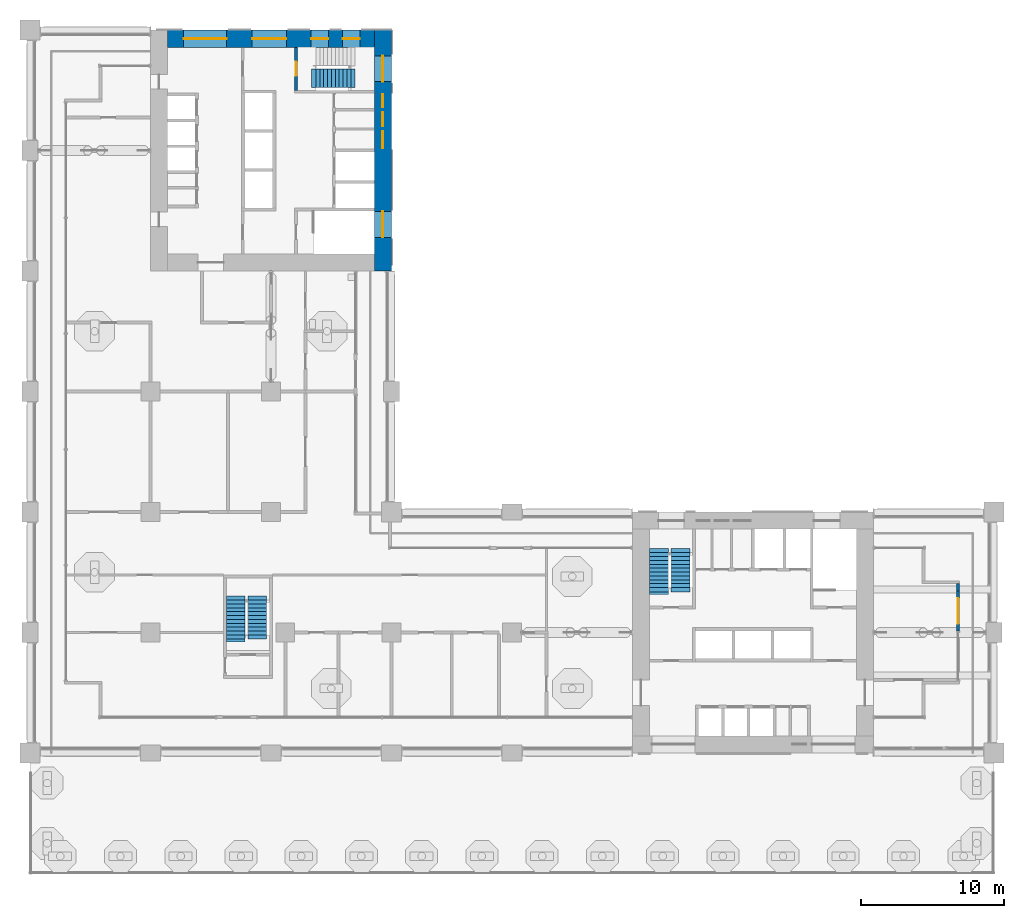
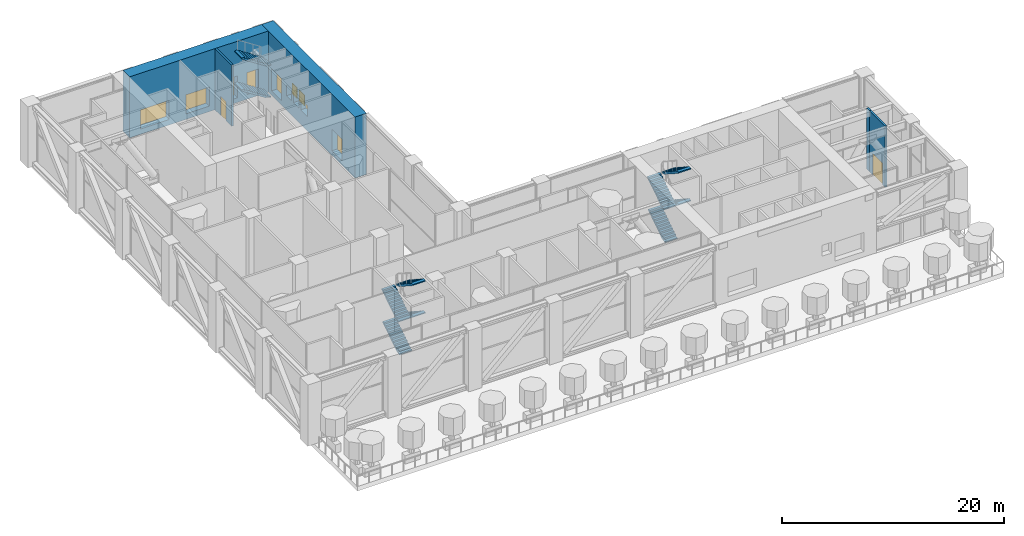
# One storey, part 14 of 28: 10 stair flights, 9 windows, 5 walls, 2 doors, 11 openings, 3 elements without a shape of their own.
"""IFC4 building model written with IfcOpenShell, lengths in metres."""

from ifc_helpers import new_model, si_unit, direction, frame, frame_2d, origin, place, context, subcontext, project, spatial, polyline, rectangle, outline, extrude, material, layer, layer_set, type_object, element, fill, aggregate, save


model = new_model("IFC4")

# Units and contexts
model_context = context("Model", 3, precision=1e-05, world=origin(), true_north=direction((0.0, 1.0)))
body_context = subcontext(model_context, "Body", "Model", "MODEL_VIEW")
ifc_project = project(units=[si_unit("LENGTHUNIT", "METRE"), si_unit("AREAUNIT", "SQUARE_METRE"), si_unit("VOLUMEUNIT", "CUBIC_METRE"), si_unit("PLANEANGLEUNIT", "RADIAN"), si_unit("MASSUNIT", "GRAM", prefix="KILO")], contexts=[model_context])

# Site, building, storey
site_placement = place(None, origin())
site = spatial("IfcSite", under=ifc_project, at=site_placement, CompositionType="ELEMENT")
building_placement = place(site_placement, origin())
building = spatial("IfcBuilding", under=site, at=building_placement, Name="Vermilion Gate Residences", CompositionType="ELEMENT")
storey_placement = place(building_placement, frame((0.0, 0.0, 74.199951171875)))
storey = spatial("IfcBuildingStorey", under=building, at=storey_placement, Name="L18", CompositionType="ELEMENT", Elevation=74.199951171875)

# Wall, opening, door
ifc_material_1 = material(Name="Insulated steel stud wall with terracotta rainscreen", Category="masonry")
ifc_layer_1 = layer(ifc_material_1, 0.199951171875)
ifc_layer_set_1 = layer_set([ifc_layer_1], Name="EXTERNAL WALL 200 TERRACOTTA RAINSCREEN")
wall_type_1 = type_object("IfcWallType", Name="EXTERNAL WALL 200 TERRACOTTA RAINSCREEN", PredefinedType="SOLIDWALL", material=ifc_layer_set_1)
wall_1_placement = place(storey_placement, frame((64.699951171875, 16.89990234375, 0.0), z_axis=(0.0, 0.0, 1.0), x_axis=(0.0, 1.0, 0.0)))
wall_1 = element("IfcWall", 1, at=wall_1_placement, inside=storey, type_object=wall_type_1, Name="External wall", PredefinedType="SOLIDWALL", context=body_context, shape_type="SweptSolid", body=[
    extrude(rectangle(XDim=2.800048828125, YDim=0.199951171875, at=frame_2d((1.39990234375, 0.0))), origin(), (0.0, 0.0, 1.0), 6.719970703125),
])
opening_1_placement = place(wall_1_placement, frame((0.5, 0.0, 0.0)))
opening_1 = element("IfcOpeningElement", 2, at=opening_1_placement, cuts=wall_1, Name="Opening DE18002", PredefinedType="OPENING", context=body_context, shape_type="SweptSolid", body=[
    extrude(rectangle(XDim=1.800048828125, YDim=2.39990234375, at=frame_2d((0.89990234375, 1.199951171875))), frame((0.0, 0.10986328125, 0.0), z_axis=(0.0, -1.0, 0.0), x_axis=(1.0, 0.0, 0.0)), (0.0, 0.0, 1.0), 0.219970703125),
])
ifc_material_2 = material(Name="Aluminium and clear glass", Category="aluminium")
door_type_1 = type_object("IfcDoorType", Name="GLAZED EXTERNAL DOOR 1800 X 2400", OperationType="DOUBLE_DOOR_SINGLE_SWING", PredefinedType="DOOR", material=ifc_material_2)
door_1_placement = place(opening_1_placement, frame((1.800048828125, 0.0, 0.0), z_axis=(0.0, 0.0, 1.0), x_axis=(-1.0, 0.0, 0.0)))
door_1 = element("IfcDoor", 3, at=door_1_placement, inside=storey, type_object=door_type_1, Name="Terrace door", OperationType="DOUBLE_DOOR_SINGLE_SWING", OverallHeight=2.39990234375, OverallWidth=1.800048828125, PredefinedType="DOOR", context=body_context, shape_type="SweptSolid", body=[
    extrude(rectangle(XDim=1.800048828125, YDim=2.39990234375, at=frame_2d((0.89990234375, 1.199951171875))), frame((0.0, 0.02490234375, 0.0), z_axis=(0.0, -1.0, 0.0), x_axis=(1.0, 0.0, 0.0)), (0.0, 0.0, 1.0), 0.050048828125),
])
fill(opening_1, door_1)

# Wall
wall_2_placement = place(storey_placement, frame((64.699951171875, 19.699951171875, 0.0), z_axis=(0.0, 0.0, 1.0), x_axis=(0.0, 1.0, 0.0)))
element("IfcWall", 4, at=wall_2_placement, inside=storey, type_object=wall_type_1, Name="External wall", PredefinedType="SOLIDWALL", context=body_context, shape_type="SweptSolid", body=[
    extrude(rectangle(XDim=0.5, YDim=0.199951171875, at=frame_2d((0.25, 0.0))), origin(), (0.0, 0.0, 1.0), 6.719970703125),
])

# Wall, opening, door
ifc_material_3 = material(Name="Concrete C60", Category="concrete")
ifc_layer_2 = layer(ifc_material_3, 0.199951171875)
ifc_layer_set_2 = layer_set([ifc_layer_2], Name="RC CORE INTERNAL WALL 200 C60")
wall_type_2 = type_object("IfcWallType", Name="RC CORE INTERNAL WALL 200 C60", PredefinedType="SHEAR", material=ifc_layer_set_2)
wall_3_placement = place(storey_placement, frame((18.550048828125, 57.60009765625, 0.0), z_axis=(0.0, 0.0, 1.0), x_axis=(0.0, -1.0, 0.0)))
wall_3 = element("IfcWall", 5, at=wall_3_placement, inside=storey, type_object=wall_type_2, Name="Core internal wall B18-STW-S", PredefinedType="SHEAR", context=body_context, shape_type="SweptSolid", body=[
    extrude(rectangle(XDim=3.0, YDim=0.199951171875, at=frame_2d((1.5, 0.0))), origin(), (0.0, 0.0, 1.0), 6.719970703125),
])
opening_2_placement = place(wall_3_placement, frame((1.0, 0.0, 0.0)))
opening_2 = element("IfcOpeningElement", 6, at=opening_2_placement, cuts=wall_3, Name="Opening DK18115", PredefinedType="OPENING", context=body_context, shape_type="SweptSolid", body=[
    extrude(rectangle(XDim=1.0, YDim=2.10009765625, at=frame_2d((0.5, 1.050048828125))), frame((0.0, 0.10986328125, 0.0), z_axis=(0.0, -1.0, 0.0), x_axis=(1.0, 0.0, 0.0)), (0.0, 0.0, 1.0), 0.219970703125),
])
ifc_material_4 = material(Name="Steel", Category="steel")
door_type_2 = type_object("IfcDoorType", Name="FIRE DOOR FD60 1000 X 2100", OperationType="SINGLE_SWING_LEFT", PredefinedType="DOOR", material=ifc_material_4)
door_2_placement = place(opening_2_placement, origin())
door_2 = element("IfcDoor", 7, at=door_2_placement, inside=storey, type_object=door_type_2, Name="Stair door B18", OperationType="SINGLE_SWING_LEFT", OverallHeight=2.10009765625, OverallWidth=1.0, PredefinedType="DOOR", context=body_context, shape_type="SweptSolid", body=[
    extrude(rectangle(XDim=1.0, YDim=2.10009765625, at=frame_2d((0.5, 1.050048828125))), frame((0.0, 0.02490234375, 0.0), z_axis=(0.0, -1.0, 0.0), x_axis=(1.0, 0.0, 0.0)), (0.0, 0.0, 1.0), 0.050048828125),
])
fill(opening_2, door_2)

# Wall, openings, windows
ifc_material_5 = material(Name="Concrete C80 red-oxide pigmented", Category="concrete")
ifc_layer_3 = layer(ifc_material_5, 1.199951171875)
ifc_layer_set_3 = layer_set([ifc_layer_3], Name="RC CORE WALL 1200 C80 RED OXIDE")
wall_type_3 = type_object("IfcWallType", Name="RC CORE WALL 1200 C80 RED OXIDE", PredefinedType="SHEAR", material=ifc_layer_set_3)
wall_4_placement = place(storey_placement, frame((24.60009765625, 58.800048828125, 0.0), z_axis=(0.0, 0.0, 1.0), x_axis=(0.0, -1.0, 0.0)))
wall_4 = element("IfcWall", 8, at=wall_4_placement, inside=storey, type_object=wall_type_3, Name="Core wall B18-OUT-B1", PredefinedType="SHEAR", context=body_context, shape_type="SweptSolid", body=[
    extrude(rectangle(XDim=16.800048828125, YDim=1.199951171875, at=frame_2d((8.39990234375, 0.0))), origin(), (0.0, 0.0, 1.0), 6.719970703125),
])
opening_3_placement = place(wall_4_placement, frame((1.800048828125, 0.0, 0.5)))
opening_3 = element("IfcOpeningElement", 9, at=opening_3_placement, cuts=wall_4, Name="Opening WKB1801", PredefinedType="OPENING", context=body_context, shape_type="SweptSolid", body=[
    extrude(rectangle(XDim=1.800048828125, YDim=2.39990234375, at=frame_2d((0.89990234375, 1.199951171875))), frame((0.0, 0.60986328125, 0.0), z_axis=(0.0, -1.0, 0.0), x_axis=(1.0, 0.0, 0.0)), (0.0, 0.0, 1.0), 1.219970703125),
])
opening_4_placement = place(wall_4_placement, frame((4.489990234375, 0.0, 1.60009765625)))
opening_4 = element("IfcOpeningElement", 10, at=opening_4_placement, cuts=wall_4, Name="Opening WKB1802", PredefinedType="OPENING", context=body_context, shape_type="SweptSolid", body=[
    extrude(rectangle(XDim=0.89990234375, YDim=1.199951171875, at=frame_2d((0.449951171875, 0.60009765625))), frame((0.0, 0.60986328125, 0.0), z_axis=(0.0, -1.0, 0.0), x_axis=(1.0, 0.0, 0.0)), (0.0, 0.0, 1.0), 1.219970703125),
])
opening_5_placement = place(wall_4_placement, frame((5.72412109375, 0.0, 1.60009765625)))
opening_5 = element("IfcOpeningElement", 11, at=opening_5_placement, cuts=wall_4, Name="Opening WKB1803", PredefinedType="OPENING", context=body_context, shape_type="SweptSolid", body=[
    extrude(rectangle(XDim=1.0, YDim=1.199951171875, at=frame_2d((0.5, 0.60009765625))), frame((0.0, 0.60986328125, 0.0), z_axis=(0.0, -1.0, 0.0), x_axis=(1.0, 0.0, 0.0)), (0.0, 0.0, 1.0), 1.219970703125),
])
opening_6_placement = place(wall_4_placement, frame((7.050048828125, 0.0, 1.60009765625)))
opening_6 = element("IfcOpeningElement", 12, at=opening_6_placement, cuts=wall_4, Name="Opening WKB1804", PredefinedType="OPENING", context=body_context, shape_type="SweptSolid", body=[
    extrude(rectangle(XDim=1.199951171875, YDim=1.199951171875, at=frame_2d((0.60009765625, 0.60009765625))), frame((0.0, 0.60986328125, 0.0), z_axis=(0.0, -1.0, 0.0), x_axis=(1.0, 0.0, 0.0)), (0.0, 0.0, 1.0), 1.219970703125),
])
opening_7_placement = place(wall_4_placement, frame((12.64990234375, 0.0, 0.5)))
opening_7 = element("IfcOpeningElement", 13, at=opening_7_placement, cuts=wall_4, Name="Opening WKB1805", PredefinedType="OPENING", context=body_context, shape_type="SweptSolid", body=[
    extrude(rectangle(XDim=1.800048828125, YDim=2.39990234375, at=frame_2d((0.89990234375, 1.199951171875))), frame((0.0, 0.60986328125, 0.0), z_axis=(0.0, -1.0, 0.0), x_axis=(1.0, 0.0, 0.0)), (0.0, 0.0, 1.0), 1.219970703125),
])
ifc_material_6 = material(Name="Aluminium frame with louvre blades", Category="aluminium")
window_type_1 = type_object("IfcWindowType", Name="CORE LOUVRE 1000 X 1200", PartitioningType="SINGLE_PANEL", PredefinedType="WINDOW", material=ifc_material_6)
window_1_placement = place(opening_5_placement, origin())
window_1 = element("IfcWindow", 14, at=window_1_placement, inside=storey, type_object=window_type_1, Name="Core louvre", OverallHeight=1.199951171875, OverallWidth=1.0, PartitioningType="SINGLE_PANEL", PredefinedType="WINDOW", context=body_context, shape_type="SweptSolid", body=[
    extrude(rectangle(XDim=1.0, YDim=1.199951171875, at=frame_2d((0.5, 0.60009765625))), frame((0.0, 0.030029296875, 0.0), z_axis=(0.0, -1.0, 0.0), x_axis=(1.0, 0.0, 0.0)), (0.0, 0.0, 1.0), 0.06005859375),
])
fill(opening_5, window_1)
ifc_material_7 = material(Name="Aluminium frame with louvre blades", Category="aluminium")
window_type_2 = type_object("IfcWindowType", Name="CORE LOUVRE 1200 X 1200", PartitioningType="SINGLE_PANEL", PredefinedType="WINDOW", material=ifc_material_7)
window_2_placement = place(opening_6_placement, origin())
window_2 = element("IfcWindow", 15, at=window_2_placement, inside=storey, type_object=window_type_2, Name="Core louvre", OverallHeight=1.199951171875, OverallWidth=1.199951171875, PartitioningType="SINGLE_PANEL", PredefinedType="WINDOW", context=body_context, shape_type="SweptSolid", body=[
    extrude(rectangle(XDim=1.199951171875, YDim=1.199951171875, at=frame_2d((0.60009765625, 0.60009765625))), frame((0.0, 0.030029296875, 0.0), z_axis=(0.0, -1.0, 0.0), x_axis=(1.0, 0.0, 0.0)), (0.0, 0.0, 1.0), 0.06005859375),
])
fill(opening_6, window_2)
ifc_material_8 = material(Name="Aluminium frame with louvre blades", Category="aluminium")
window_type_3 = type_object("IfcWindowType", Name="CORE LOUVRE 900 X 1200", PartitioningType="SINGLE_PANEL", PredefinedType="WINDOW", material=ifc_material_8)
window_3_placement = place(opening_4_placement, origin())
window_3 = element("IfcWindow", 16, at=window_3_placement, inside=storey, type_object=window_type_3, Name="Core louvre", OverallHeight=1.199951171875, OverallWidth=0.89990234375, PartitioningType="SINGLE_PANEL", PredefinedType="WINDOW", context=body_context, shape_type="SweptSolid", body=[
    extrude(rectangle(XDim=0.89990234375, YDim=1.199951171875, at=frame_2d((0.449951171875, 0.60009765625))), frame((0.0, 0.030029296875, 0.0), z_axis=(0.0, -1.0, 0.0), x_axis=(1.0, 0.0, 0.0)), (0.0, 0.0, 1.0), 0.06005859375),
])
fill(opening_4, window_3)
ifc_material_9 = material(Name="Aluminium and clear glass", Category="aluminium")
window_type_4 = type_object("IfcWindowType", Name="CORE STAIR WINDOW 1800 X 2400", PartitioningType="SINGLE_PANEL", PredefinedType="WINDOW", material=ifc_material_9)
window_4_placement = place(opening_3_placement, origin())
window_4 = element("IfcWindow", 17, at=window_4_placement, inside=storey, type_object=window_type_4, Name="Core stair window", OverallHeight=2.39990234375, OverallWidth=1.800048828125, PartitioningType="SINGLE_PANEL", PredefinedType="WINDOW", context=body_context, shape_type="SweptSolid", body=[
    extrude(rectangle(XDim=1.800048828125, YDim=2.39990234375, at=frame_2d((0.89990234375, 1.199951171875))), frame((0.0, 0.030029296875, 0.0), z_axis=(0.0, -1.0, 0.0), x_axis=(1.0, 0.0, 0.0)), (0.0, 0.0, 1.0), 0.06005859375),
])
fill(opening_3, window_4)
window_5_placement = place(opening_7_placement, origin())
window_5 = element("IfcWindow", 18, at=window_5_placement, inside=storey, type_object=window_type_4, Name="Core stair window", OverallHeight=2.39990234375, OverallWidth=1.800048828125, PartitioningType="SINGLE_PANEL", PredefinedType="WINDOW", context=body_context, shape_type="SweptSolid", body=[
    extrude(rectangle(XDim=1.800048828125, YDim=2.39990234375, at=frame_2d((0.89990234375, 1.199951171875))), frame((0.0, 0.030029296875, 0.0), z_axis=(0.0, -1.0, 0.0), x_axis=(1.0, 0.0, 0.0)), (0.0, 0.0, 1.0), 0.06005859375),
])
fill(opening_7, window_5)

wall_5_placement = place(storey_placement, frame((9.60009765625, 58.199951171875, 0.0), z_axis=(0.0, 0.0, 1.0), x_axis=(1.0, 0.0, 0.0)))
wall_5 = element("IfcWall", 19, at=wall_5_placement, inside=storey, type_object=wall_type_3, Name="Core wall B18-OUT-FR", PredefinedType="SHEAR", context=body_context, shape_type="SweptSolid", body=[
    extrude(rectangle(XDim=14.39990234375, YDim=1.199951171875, at=frame_2d((7.199951171875, 0.0))), origin(), (0.0, 0.0, 1.0), 6.719970703125),
])
opening_8_placement = place(wall_5_placement, frame((1.10498046875, 0.0, 0.60009765625)))
opening_8 = element("IfcOpeningElement", 20, at=opening_8_placement, cuts=wall_5, Name="Opening WKB1806", PredefinedType="OPENING", context=body_context, shape_type="SweptSolid", body=[
    extrude(rectangle(XDim=3.0, YDim=2.10009765625, at=frame_2d((1.5, 1.050048828125))), frame((0.0, 0.60986328125, 0.0), z_axis=(0.0, -1.0, 0.0), x_axis=(1.0, 0.0, 0.0)), (0.0, 0.0, 1.0), 1.219970703125),
])
opening_9_placement = place(wall_5_placement, frame((5.875, 0.0, 0.60009765625)))
opening_9 = element("IfcOpeningElement", 21, at=opening_9_placement, cuts=wall_5, Name="Opening WKB1807", PredefinedType="OPENING", context=body_context, shape_type="SweptSolid", body=[
    extrude(rectangle(XDim=2.39990234375, YDim=2.10009765625, at=frame_2d((1.199951171875, 1.050048828125))), frame((0.0, 0.60986328125, 0.0), z_axis=(0.0, -1.0, 0.0), x_axis=(1.0, 0.0, 0.0)), (0.0, 0.0, 1.0), 1.219970703125),
])
opening_10_placement = place(wall_5_placement, frame((9.993408203125, 0.0, 0.5)))
opening_10 = element("IfcOpeningElement", 22, at=opening_10_placement, cuts=wall_5, Name="Opening WKB1808", PredefinedType="OPENING", context=body_context, shape_type="SweptSolid", body=[
    extrude(rectangle(XDim=1.199951171875, YDim=2.39990234375, at=frame_2d((0.60009765625, 1.199951171875))), frame((0.0, 0.60986328125, 0.0), z_axis=(0.0, -1.0, 0.0), x_axis=(1.0, 0.0, 0.0)), (0.0, 0.0, 1.0), 1.219970703125),
])
opening_11_placement = place(wall_5_placement, frame((12.19677734375, 0.0, 0.5)))
opening_11 = element("IfcOpeningElement", 23, at=opening_11_placement, cuts=wall_5, Name="Opening WKB1809", PredefinedType="OPENING", context=body_context, shape_type="SweptSolid", body=[
    extrude(rectangle(XDim=1.199951171875, YDim=2.39990234375, at=frame_2d((0.60009765625, 1.199951171875))), frame((0.0, 0.60986328125, 0.0), z_axis=(0.0, -1.0, 0.0), x_axis=(1.0, 0.0, 0.0)), (0.0, 0.0, 1.0), 1.219970703125),
])
ifc_material_10 = material(Name="Aluminium and clear glass", Category="aluminium")
window_type_5 = type_object("IfcWindowType", Name="CORE LOBBY WINDOW 2400 X 2100", PartitioningType="SINGLE_PANEL", PredefinedType="WINDOW", material=ifc_material_10)
window_6_placement = place(opening_9_placement, origin())
window_6 = element("IfcWindow", 24, at=window_6_placement, inside=storey, type_object=window_type_5, Name="Core lobby window", OverallHeight=2.10009765625, OverallWidth=2.39990234375, PartitioningType="SINGLE_PANEL", PredefinedType="WINDOW", context=body_context, shape_type="SweptSolid", body=[
    extrude(rectangle(XDim=2.39990234375, YDim=2.10009765625, at=frame_2d((1.199951171875, 1.050048828125))), frame((0.0, 0.030029296875, 0.0), z_axis=(0.0, -1.0, 0.0), x_axis=(1.0, 0.0, 0.0)), (0.0, 0.0, 1.0), 0.06005859375),
])
fill(opening_9, window_6)
ifc_material_11 = material(Name="Aluminium and clear glass", Category="aluminium")
window_type_6 = type_object("IfcWindowType", Name="CORE LOBBY WINDOW 3000 X 2100", PartitioningType="SINGLE_PANEL", PredefinedType="WINDOW", material=ifc_material_11)
window_7_placement = place(opening_8_placement, origin())
window_7 = element("IfcWindow", 25, at=window_7_placement, inside=storey, type_object=window_type_6, Name="Core lobby window", OverallHeight=2.10009765625, OverallWidth=3.0, PartitioningType="SINGLE_PANEL", PredefinedType="WINDOW", context=body_context, shape_type="SweptSolid", body=[
    extrude(rectangle(XDim=3.0, YDim=2.10009765625, at=frame_2d((1.5, 1.050048828125))), frame((0.0, 0.030029296875, 0.0), z_axis=(0.0, -1.0, 0.0), x_axis=(1.0, 0.0, 0.0)), (0.0, 0.0, 1.0), 0.06005859375),
])
fill(opening_8, window_7)
ifc_material_12 = material(Name="Aluminium and clear glass", Category="aluminium")
window_type_7 = type_object("IfcWindowType", Name="CORE STAIR WINDOW 1200 X 2400", PartitioningType="SINGLE_PANEL", PredefinedType="WINDOW", material=ifc_material_12)
window_8_placement = place(opening_10_placement, origin())
window_8 = element("IfcWindow", 26, at=window_8_placement, inside=storey, type_object=window_type_7, Name="Core stair window", OverallHeight=2.39990234375, OverallWidth=1.199951171875, PartitioningType="SINGLE_PANEL", PredefinedType="WINDOW", context=body_context, shape_type="SweptSolid", body=[
    extrude(rectangle(XDim=1.199951171875, YDim=2.39990234375, at=frame_2d((0.60009765625, 1.199951171875))), frame((0.0, 0.030029296875, 0.0), z_axis=(0.0, -1.0, 0.0), x_axis=(1.0, 0.0, 0.0)), (0.0, 0.0, 1.0), 0.06005859375),
])
fill(opening_10, window_8)
window_9_placement = place(opening_11_placement, origin())
window_9 = element("IfcWindow", 27, at=window_9_placement, inside=storey, type_object=window_type_7, Name="Core stair window", OverallHeight=2.39990234375, OverallWidth=1.199951171875, PartitioningType="SINGLE_PANEL", PredefinedType="WINDOW", context=body_context, shape_type="SweptSolid", body=[
    extrude(rectangle(XDim=1.199951171875, YDim=2.39990234375, at=frame_2d((0.60009765625, 1.199951171875))), frame((0.0, 0.030029296875, 0.0), z_axis=(0.0, -1.0, 0.0), x_axis=(1.0, 0.0, 0.0)), (0.0, 0.0, 1.0), 0.06005859375),
])
fill(opening_11, window_9)

# Stair, stair flights
ifc_material_13 = material(Name="Concrete C50", Category="concrete")
stair_type = type_object("IfcStairType", Name="SPECIAL ESCAPE STAIR 1300", PredefinedType="HALF_TURN_STAIR", material=ifc_material_13)
stair_1_placement = place(storey_placement, origin())
stair_1 = element("IfcStair", 28, at=stair_1_placement, inside=storey, type_object=stair_type, Name="Special escape stair STA1-18", PredefinedType="HALF_TURN_STAIR")
ifc_material_14 = material(Name="Concrete C50", Category="concrete")
stair_flight_type = type_object("IfcStairFlightType", Name="STAIR FLIGHT 1300 RC C50", PredefinedType="STRAIGHT", material=ifc_material_14)
stair_flight_1_placement = place(storey_placement, frame((43.85009765625, 19.75, 0.0), z_axis=(0.0, 0.0, 1.0), x_axis=(0.0, 1.0, 0.0)))
stair_flight_1 = element("IfcStairFlight", 29, at=stair_flight_1_placement, type_object=stair_flight_type, Name="STA1-18 flight 1", NumberOfRisers=10, NumberOfTreads=9, PredefinedType="STRAIGHT", RiserHeight=0.175, TreadLength=0.27, context=body_context, shape_type="SweptSolid", body=[
    extrude(outline(polyline([(-0.300048828125, -0.14990234375), (-0.300048828125, -0.030029296875), (0.0, 0.0), (0.0, 0.175048828125), (0.27001953125, 0.175048828125), (0.27001953125, 0.35009765625), (0.5400390625, 0.35009765625), (0.5400390625, 0.52490234375), (0.81005859375, 0.52490234375), (0.81005859375, 0.699951171875), (1.080078125, 0.699951171875), (1.080078125, 0.875), (1.35009765625, 0.875), (1.35009765625, 1.050048828125), (1.6201171875, 1.050048828125), (1.6201171875, 1.22509765625), (1.889892578125, 1.22509765625), (1.889892578125, 1.39990234375), (2.159912109375, 1.39990234375), (2.159912109375, 1.574951171875), (2.429931640625, 1.574951171875), (2.429931640625, 1.75), (2.72998046875, 1.719970703125), (2.72998046875, 1.60009765625), (2.429931640625, 1.396484375), (0.275634765625, 0.0), (-0.300048828125, -0.14990234375)])), frame((0.0, 0.64990234375, 0.0), z_axis=(0.0, -1.0, 0.0), x_axis=(1.0, 0.0, 0.0)), (0.0, 0.0, 1.0), 1.300048828125),
])
stair_flight_2_placement = place(storey_placement, frame((45.35009765625, 22.360107421875, 1.75), z_axis=(0.0, 0.0, 1.0), x_axis=(0.0, -1.0, 0.0)))
stair_flight_2 = element("IfcStairFlight", 30, at=stair_flight_2_placement, type_object=stair_flight_type, Name="STA1-18 flight 2", NumberOfRisers=10, NumberOfTreads=9, PredefinedType="STRAIGHT", RiserHeight=0.175, TreadLength=0.27, context=body_context, shape_type="SweptSolid", body=[
    extrude(outline(polyline([(-0.300048828125, -0.14990234375), (-0.300048828125, -0.030029296875), (0.0, 0.0), (0.0, 0.175048828125), (0.27001953125, 0.175048828125), (0.27001953125, 0.35009765625), (0.5400390625, 0.35009765625), (0.5400390625, 0.52490234375), (0.81005859375, 0.52490234375), (0.81005859375, 0.699951171875), (1.080078125, 0.699951171875), (1.080078125, 0.875), (1.35009765625, 0.875), (1.35009765625, 1.050048828125), (1.6201171875, 1.050048828125), (1.6201171875, 1.22509765625), (1.889892578125, 1.22509765625), (1.889892578125, 1.39990234375), (2.159912109375, 1.39990234375), (2.159912109375, 1.574951171875), (2.429931640625, 1.574951171875), (2.429931640625, 1.75), (2.72998046875, 1.719970703125), (2.72998046875, 1.60009765625), (2.429931640625, 1.396484375), (0.275634765625, 0.0), (-0.300048828125, -0.14990234375)])), frame((0.0, 0.64990234375, 0.0), z_axis=(0.0, -1.0, 0.0), x_axis=(1.0, 0.0, 0.0)), (0.0, 0.0, 1.0), 1.300048828125),
])
stair_flight_3_placement = place(storey_placement, frame((43.85009765625, 19.929931640625, 3.5), z_axis=(0.0, 0.0, 1.0), x_axis=(0.0, 1.0, 0.0)))
stair_flight_3 = element("IfcStairFlight", 31, at=stair_flight_3_placement, type_object=stair_flight_type, Name="STA1-18 flight 3", NumberOfRisers=10, NumberOfTreads=9, PredefinedType="STRAIGHT", RiserHeight=0.175, TreadLength=0.27, context=body_context, shape_type="SweptSolid", body=[
    extrude(outline(polyline([(-0.300048828125, -0.14990234375), (-0.300048828125, -0.030029296875), (0.0, 0.0), (0.0, 0.175048828125), (0.27001953125, 0.175048828125), (0.27001953125, 0.35009765625), (0.5400390625, 0.35009765625), (0.5400390625, 0.52490234375), (0.81005859375, 0.52490234375), (0.81005859375, 0.699951171875), (1.080078125, 0.699951171875), (1.080078125, 0.875), (1.35009765625, 0.875), (1.35009765625, 1.050048828125), (1.6201171875, 1.050048828125), (1.6201171875, 1.22509765625), (1.889892578125, 1.22509765625), (1.889892578125, 1.39990234375), (2.159912109375, 1.39990234375), (2.159912109375, 1.574951171875), (2.429931640625, 1.574951171875), (2.429931640625, 1.75), (2.72998046875, 1.719970703125), (2.72998046875, 1.60009765625), (2.429931640625, 1.396484375), (0.275634765625, 0.0), (-0.300048828125, -0.14990234375)])), frame((0.0, 0.64990234375, 0.0), z_axis=(0.0, -1.0, 0.0), x_axis=(1.0, 0.0, 0.0)), (0.0, 0.0, 1.0), 1.300048828125),
])
stair_flight_4_placement = place(storey_placement, frame((45.35009765625, 22.360107421875, 5.25), z_axis=(0.0, 0.0, 1.0), x_axis=(0.0, -1.0, 0.0)))
stair_flight_4 = element("IfcStairFlight", 32, at=stair_flight_4_placement, type_object=stair_flight_type, Name="STA1-18 flight 4", NumberOfRisers=10, NumberOfTreads=9, PredefinedType="STRAIGHT", RiserHeight=0.175, TreadLength=0.27, context=body_context, shape_type="SweptSolid", body=[
    extrude(outline(polyline([(-0.300048828125, -0.14990234375), (-0.300048828125, -0.030029296875), (0.0, 0.0), (0.0, 0.175048828125), (0.27001953125, 0.175048828125), (0.27001953125, 0.35009765625), (0.5400390625, 0.35009765625), (0.5400390625, 0.52490234375), (0.81005859375, 0.52490234375), (0.81005859375, 0.699951171875), (1.080078125, 0.699951171875), (1.080078125, 0.875), (1.35009765625, 0.875), (1.35009765625, 1.050048828125), (1.6201171875, 1.050048828125), (1.6201171875, 1.22509765625), (1.889892578125, 1.22509765625), (1.889892578125, 1.39990234375), (2.159912109375, 1.39990234375), (2.159912109375, 1.574951171875), (2.429931640625, 1.574951171875), (2.429931640625, 1.75), (2.72998046875, 1.719970703125), (2.72998046875, 1.60009765625), (2.429931640625, 1.396484375), (0.275634765625, 0.0), (-0.300048828125, -0.14990234375)])), frame((0.0, 0.64990234375, 0.0), z_axis=(0.0, -1.0, 0.0), x_axis=(1.0, 0.0, 0.0)), (0.0, 0.0, 1.0), 1.300048828125),
])
aggregate(stair_1, [stair_flight_1, stair_flight_2, stair_flight_3, stair_flight_4])

stair_2_placement = place(storey_placement, origin())
stair_2 = element("IfcStair", 33, at=stair_2_placement, inside=storey, type_object=stair_type, Name="Special escape stair STB1-18", PredefinedType="HALF_TURN_STAIR")
stair_flight_5_placement = place(storey_placement, frame((22.360107421875, 55.449951171875, 1.75), z_axis=(0.0, 0.0, 1.0), x_axis=(-1.0, 0.0, 0.0)))
stair_flight_5 = element("IfcStairFlight", 34, at=stair_flight_5_placement, type_object=stair_flight_type, Name="STB1-18 flight 2", NumberOfRisers=10, NumberOfTreads=9, PredefinedType="STRAIGHT", RiserHeight=0.175, TreadLength=0.27, context=body_context, shape_type="SweptSolid", body=[
    extrude(outline(polyline([(-0.300048828125, -0.14990234375), (-0.300048828125, -0.030029296875), (0.0, 0.0), (0.0, 0.175048828125), (0.27001953125, 0.175048828125), (0.27001953125, 0.35009765625), (0.5400390625, 0.35009765625), (0.5400390625, 0.52490234375), (0.81005859375, 0.52490234375), (0.81005859375, 0.699951171875), (1.080078125, 0.699951171875), (1.080078125, 0.875), (1.35009765625, 0.875), (1.35009765625, 1.050048828125), (1.6201171875, 1.050048828125), (1.6201171875, 1.22509765625), (1.889892578125, 1.22509765625), (1.889892578125, 1.39990234375), (2.159912109375, 1.39990234375), (2.159912109375, 1.574951171875), (2.429931640625, 1.574951171875), (2.429931640625, 1.75), (2.72998046875, 1.719970703125), (2.72998046875, 1.60009765625), (2.429931640625, 1.396484375), (0.275634765625, 0.0), (-0.300048828125, -0.14990234375)])), frame((0.0, 0.64990234375, 0.0), z_axis=(0.0, -1.0, 0.0), x_axis=(1.0, 0.0, 0.0)), (0.0, 0.0, 1.0), 1.300048828125),
])
stair_flight_6_placement = place(storey_placement, frame((22.360107421875, 55.449951171875, 5.25), z_axis=(0.0, 0.0, 1.0), x_axis=(-1.0, 0.0, 0.0)))
stair_flight_6 = element("IfcStairFlight", 35, at=stair_flight_6_placement, type_object=stair_flight_type, Name="STB1-18 flight 4", NumberOfRisers=10, NumberOfTreads=9, PredefinedType="STRAIGHT", RiserHeight=0.175, TreadLength=0.27, context=body_context, shape_type="SweptSolid", body=[
    extrude(outline(polyline([(-0.300048828125, -0.14990234375), (-0.300048828125, -0.030029296875), (0.0, 0.0), (0.0, 0.175048828125), (0.27001953125, 0.175048828125), (0.27001953125, 0.35009765625), (0.5400390625, 0.35009765625), (0.5400390625, 0.52490234375), (0.81005859375, 0.52490234375), (0.81005859375, 0.699951171875), (1.080078125, 0.699951171875), (1.080078125, 0.875), (1.35009765625, 0.875), (1.35009765625, 1.050048828125), (1.6201171875, 1.050048828125), (1.6201171875, 1.22509765625), (1.889892578125, 1.22509765625), (1.889892578125, 1.39990234375), (2.159912109375, 1.39990234375), (2.159912109375, 1.574951171875), (2.429931640625, 1.574951171875), (2.429931640625, 1.75), (2.72998046875, 1.719970703125), (2.72998046875, 1.60009765625), (2.429931640625, 1.396484375), (0.275634765625, 0.0), (-0.300048828125, -0.14990234375)])), frame((0.0, 0.64990234375, 0.0), z_axis=(0.0, -1.0, 0.0), x_axis=(1.0, 0.0, 0.0)), (0.0, 0.0, 1.0), 1.300048828125),
])
aggregate(stair_2, [stair_flight_5, stair_flight_6])

stair_3_placement = place(storey_placement, origin())
stair_3 = element("IfcStair", 36, at=stair_3_placement, inside=storey, type_object=stair_type, Name="Special escape stair STC1-18", PredefinedType="HALF_TURN_STAIR")
stair_flight_7_placement = place(storey_placement, frame((14.35009765625, 16.449951171875, 0.0), z_axis=(0.0, 0.0, 1.0), x_axis=(0.0, 1.0, 0.0)))
stair_flight_7 = element("IfcStairFlight", 37, at=stair_flight_7_placement, type_object=stair_flight_type, Name="STC1-18 flight 1", NumberOfRisers=10, NumberOfTreads=9, PredefinedType="STRAIGHT", RiserHeight=0.175, TreadLength=0.27, context=body_context, shape_type="SweptSolid", body=[
    extrude(outline(polyline([(-0.300048828125, -0.14990234375), (-0.300048828125, -0.030029296875), (0.0, 0.0), (0.0, 0.175048828125), (0.27001953125, 0.175048828125), (0.27001953125, 0.35009765625), (0.5400390625, 0.35009765625), (0.5400390625, 0.52490234375), (0.81005859375, 0.52490234375), (0.81005859375, 0.699951171875), (1.080078125, 0.699951171875), (1.080078125, 0.875), (1.35009765625, 0.875), (1.35009765625, 1.050048828125), (1.6201171875, 1.050048828125), (1.6201171875, 1.22509765625), (1.889892578125, 1.22509765625), (1.889892578125, 1.39990234375), (2.159912109375, 1.39990234375), (2.159912109375, 1.574951171875), (2.429931640625, 1.574951171875), (2.429931640625, 1.75), (2.72998046875, 1.719970703125), (2.72998046875, 1.60009765625), (2.429931640625, 1.396484375), (0.275634765625, 0.0), (-0.300048828125, -0.14990234375)])), frame((0.0, 0.64990234375, 0.0), z_axis=(0.0, -1.0, 0.0), x_axis=(1.0, 0.0, 0.0)), (0.0, 0.0, 1.0), 1.300048828125),
])
stair_flight_8_placement = place(storey_placement, frame((15.85009765625, 19.06005859375, 1.75), z_axis=(0.0, 0.0, 1.0), x_axis=(0.0, -1.0, 0.0)))
stair_flight_8 = element("IfcStairFlight", 38, at=stair_flight_8_placement, type_object=stair_flight_type, Name="STC1-18 flight 2", NumberOfRisers=10, NumberOfTreads=9, PredefinedType="STRAIGHT", RiserHeight=0.175, TreadLength=0.27, context=body_context, shape_type="SweptSolid", body=[
    extrude(outline(polyline([(-0.300048828125, -0.14990234375), (-0.300048828125, -0.030029296875), (0.0, 0.0), (0.0, 0.175048828125), (0.27001953125, 0.175048828125), (0.27001953125, 0.35009765625), (0.5400390625, 0.35009765625), (0.5400390625, 0.52490234375), (0.81005859375, 0.52490234375), (0.81005859375, 0.699951171875), (1.080078125, 0.699951171875), (1.080078125, 0.875), (1.35009765625, 0.875), (1.35009765625, 1.050048828125), (1.6201171875, 1.050048828125), (1.6201171875, 1.22509765625), (1.889892578125, 1.22509765625), (1.889892578125, 1.39990234375), (2.159912109375, 1.39990234375), (2.159912109375, 1.574951171875), (2.429931640625, 1.574951171875), (2.429931640625, 1.75), (2.72998046875, 1.719970703125), (2.72998046875, 1.60009765625), (2.429931640625, 1.396484375), (0.275634765625, 0.0), (-0.300048828125, -0.14990234375)])), frame((0.0, 0.64990234375, 0.0), z_axis=(0.0, -1.0, 0.0), x_axis=(1.0, 0.0, 0.0)), (0.0, 0.0, 1.0), 1.300048828125),
])
stair_flight_9_placement = place(storey_placement, frame((14.35009765625, 16.6298828125, 3.5), z_axis=(0.0, 0.0, 1.0), x_axis=(0.0, 1.0, 0.0)))
stair_flight_9 = element("IfcStairFlight", 39, at=stair_flight_9_placement, type_object=stair_flight_type, Name="STC1-18 flight 3", NumberOfRisers=10, NumberOfTreads=9, PredefinedType="STRAIGHT", RiserHeight=0.175, TreadLength=0.27, context=body_context, shape_type="SweptSolid", body=[
    extrude(outline(polyline([(-0.300048828125, -0.14990234375), (-0.300048828125, -0.030029296875), (0.0, 0.0), (0.0, 0.175048828125), (0.27001953125, 0.175048828125), (0.27001953125, 0.35009765625), (0.5400390625, 0.35009765625), (0.5400390625, 0.52490234375), (0.81005859375, 0.52490234375), (0.81005859375, 0.699951171875), (1.080078125, 0.699951171875), (1.080078125, 0.875), (1.35009765625, 0.875), (1.35009765625, 1.050048828125), (1.6201171875, 1.050048828125), (1.6201171875, 1.22509765625), (1.889892578125, 1.22509765625), (1.889892578125, 1.39990234375), (2.159912109375, 1.39990234375), (2.159912109375, 1.574951171875), (2.429931640625, 1.574951171875), (2.429931640625, 1.75), (2.72998046875, 1.719970703125), (2.72998046875, 1.60009765625), (2.429931640625, 1.396484375), (0.275634765625, 0.0), (-0.300048828125, -0.14990234375)])), frame((0.0, 0.64990234375, 0.0), z_axis=(0.0, -1.0, 0.0), x_axis=(1.0, 0.0, 0.0)), (0.0, 0.0, 1.0), 1.300048828125),
])
stair_flight_10_placement = place(storey_placement, frame((15.85009765625, 19.06005859375, 5.25), z_axis=(0.0, 0.0, 1.0), x_axis=(0.0, -1.0, 0.0)))
stair_flight_10 = element("IfcStairFlight", 40, at=stair_flight_10_placement, type_object=stair_flight_type, Name="STC1-18 flight 4", NumberOfRisers=10, NumberOfTreads=9, PredefinedType="STRAIGHT", RiserHeight=0.175, TreadLength=0.27, context=body_context, shape_type="SweptSolid", body=[
    extrude(outline(polyline([(-0.300048828125, -0.14990234375), (-0.300048828125, -0.030029296875), (0.0, 0.0), (0.0, 0.175048828125), (0.27001953125, 0.175048828125), (0.27001953125, 0.35009765625), (0.5400390625, 0.35009765625), (0.5400390625, 0.52490234375), (0.81005859375, 0.52490234375), (0.81005859375, 0.699951171875), (1.080078125, 0.699951171875), (1.080078125, 0.875), (1.35009765625, 0.875), (1.35009765625, 1.050048828125), (1.6201171875, 1.050048828125), (1.6201171875, 1.22509765625), (1.889892578125, 1.22509765625), (1.889892578125, 1.39990234375), (2.159912109375, 1.39990234375), (2.159912109375, 1.574951171875), (2.429931640625, 1.574951171875), (2.429931640625, 1.75), (2.72998046875, 1.719970703125), (2.72998046875, 1.60009765625), (2.429931640625, 1.396484375), (0.275634765625, 0.0), (-0.300048828125, -0.14990234375)])), frame((0.0, 0.64990234375, 0.0), z_axis=(0.0, -1.0, 0.0), x_axis=(1.0, 0.0, 0.0)), (0.0, 0.0, 1.0), 1.300048828125),
])
aggregate(stair_3, [stair_flight_7, stair_flight_8, stair_flight_9, stair_flight_10])

save(model, "model.ifc")
